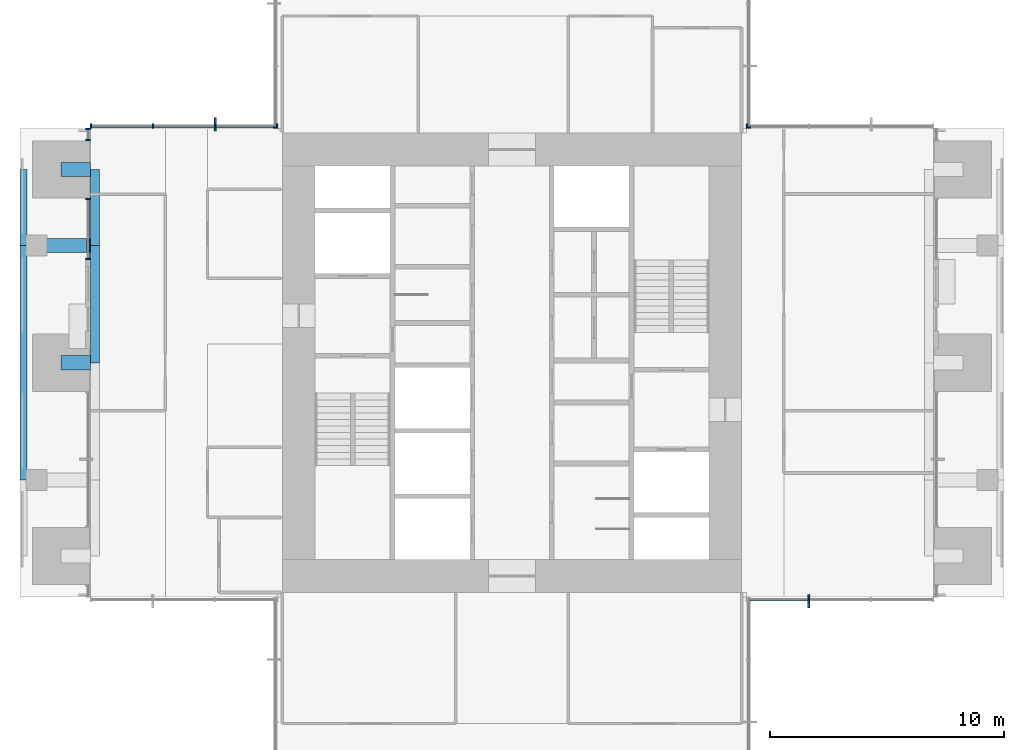
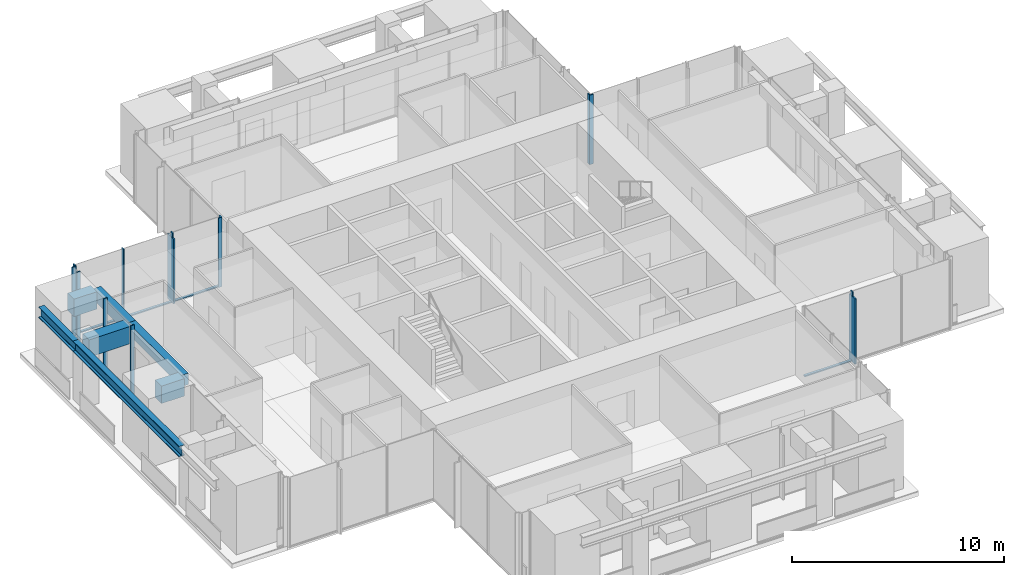
# One storey, part 3 of 17: 19 members, 7 beams, 7 elements without a shape of their own.
"""IFC4 building model written with IfcOpenShell, lengths in metres."""

from ifc_helpers import new_model, si_unit, direction, frame, origin, origin_2d, place, context, subcontext, project, spatial, rectangle, i_section, extrude, material, material_profile, profile_set, type_object, element, aggregate, save


model = new_model("IFC4")

# Units and contexts
model_context = context("Model", 3, precision=1e-05, world=origin(), true_north=direction((0.0, 1.0)))
body_context = subcontext(model_context, "Body", "Model", "MODEL_VIEW")
ifc_project = project(units=[si_unit("LENGTHUNIT", "METRE"), si_unit("AREAUNIT", "SQUARE_METRE"), si_unit("VOLUMEUNIT", "CUBIC_METRE"), si_unit("PLANEANGLEUNIT", "RADIAN"), si_unit("MASSUNIT", "GRAM", prefix="KILO")], contexts=[model_context])

# Site, building, storey
site_placement = place(None, origin())
site = spatial("IfcSite", under=ifc_project, at=site_placement, CompositionType="ELEMENT")
building_placement = place(site_placement, origin())
building = spatial("IfcBuilding", under=site, at=building_placement, Name="Svetlomir Tower", CompositionType="ELEMENT")
storey_placement = place(building_placement, frame((0.0, 0.0, 214.5)))
storey = spatial("IfcBuildingStorey", under=building, at=storey_placement, Name="L51", CompositionType="ELEMENT", Elevation=214.5)

# Curtain wall, member
ifc_material_1 = material(Name="Bronze anodised aluminium curtain wall", Category="aluminium")
curtain_wall_type = type_object("IfcCurtainWallType", Name="CURTAIN WALL CW1 TOWER OFFICE", PredefinedType="NOTDEFINED", material=ifc_material_1)
curtain_wall_1_placement = place(storey_placement, origin())
curtain_wall_1 = element("IfcCurtainWall", 1, at=curtain_wall_1_placement, inside=storey, type_object=curtain_wall_type, Name="Curtain wall CW1 L51", PredefinedType="NOTDEFINED")
ifc_material_2 = material(Name="Bronze anodised aluminium", Category="aluminium")
ifc_material_profile_1 = material_profile(ifc_material_2, rectangle(XDim=0.080078125, YDim=0.550048828125, at=origin_2d()), Name="FIN 80x550")
ifc_profile_set_1 = profile_set([ifc_material_profile_1], Name="Bronze anodised aluminium 6063-T6")
member_type_1 = type_object("IfcMemberType", Name="BRONZE FIN 80x550", PredefinedType="USERDEFINED", material=ifc_profile_set_1)
member_1_placement = place(storey_placement, frame((33.666748046875, 10.824951171875, 0.0), z_axis=(0.0, 0.0, 1.0), x_axis=(1.0, 0.0, 0.0)))
member_1 = element("IfcMember", 2, at=member_1_placement, type_object=member_type_1, Name="Bronze fin L51", ObjectType="FIN", PredefinedType="USERDEFINED", context=body_context, shape_type="SweptSolid", body=[
    extrude(rectangle(XDim=0.080078125, YDim=0.550048828125, at=origin_2d()), origin(), (0.0, 0.0, 1.0), 3.75),
])

curtain_wall_2_placement = place(storey_placement, origin())
curtain_wall_2 = element("IfcCurtainWall", 3, at=curtain_wall_2_placement, inside=storey, type_object=curtain_wall_type, Name="Curtain wall CW1 L51", PredefinedType="NOTDEFINED")
member_2_placement = place(storey_placement, frame((8.333251953125, 31.175048828125, 0.0), z_axis=(0.0, 0.0, 1.0), x_axis=(1.0, 0.0, 0.0)))
member_2 = element("IfcMember", 4, at=member_2_placement, type_object=member_type_1, Name="Bronze fin L51", ObjectType="FIN", PredefinedType="USERDEFINED", context=body_context, shape_type="SweptSolid", body=[
    extrude(rectangle(XDim=0.080078125, YDim=0.550048828125, at=origin_2d()), origin(), (0.0, 0.0, 1.0), 3.75),
])

# Member
ifc_material_3 = material(Name="Bronze anodised aluminium", Category="aluminium")
ifc_material_profile_2 = material_profile(ifc_material_3, rectangle(XDim=0.06494140625, YDim=0.199951171875, at=origin_2d()), Name="AL 65x200")
ifc_profile_set_2 = profile_set([ifc_material_profile_2], Name="Bronze anodised aluminium 6063-T6")
member_type_2 = type_object("IfcMemberType", Name="CW1 MULLION 65x200", PredefinedType="MULLION", material=ifc_profile_set_2)
member_3_placement = place(storey_placement, frame((33.666748046875, 10.89990234375, 0.0), z_axis=(0.0, 0.0, 1.0), x_axis=(1.0, 0.0, 0.0)))
member_3 = element("IfcMember", 5, at=member_3_placement, type_object=member_type_2, Name="CW1 mullion 2", PredefinedType="MULLION", context=body_context, shape_type="SweptSolid", body=[
    extrude(rectangle(XDim=0.06494140625, YDim=0.199951171875, at=origin_2d()), origin(), (0.0, 0.0, 1.0), 4.0),
])

# Curtain wall, member
curtain_wall_3_placement = place(storey_placement, origin())
curtain_wall_3 = element("IfcCurtainWall", 6, at=curtain_wall_3_placement, inside=storey, type_object=curtain_wall_type, Name="Curtain wall CW1 L51", PredefinedType="NOTDEFINED")
member_4_placement = place(storey_placement, frame((31.032470703125, 31.10009765625, 0.0), z_axis=(0.0, 0.0, 1.0), x_axis=(-1.0, 0.0, 0.0)))
member_4 = element("IfcMember", 7, at=member_4_placement, type_object=member_type_2, Name="CW1 mullion 4", PredefinedType="MULLION", context=body_context, shape_type="SweptSolid", body=[
    extrude(rectangle(XDim=0.06494140625, YDim=0.199951171875, at=origin_2d()), origin(), (0.0, 0.0, 1.0), 4.0),
])
aggregate(curtain_wall_3, [member_4])

curtain_wall_4_placement = place(storey_placement, origin())
curtain_wall_4 = element("IfcCurtainWall", 8, at=curtain_wall_4_placement, inside=storey, type_object=curtain_wall_type, Name="Curtain wall CW1 L51", PredefinedType="NOTDEFINED")
member_5_placement = place(storey_placement, frame((31.10009765625, 31.032470703125, 0.0), z_axis=(0.0, 0.0, 1.0), x_axis=(0.0, 1.0, 0.0)))
member_5 = element("IfcMember", 9, at=member_5_placement, type_object=member_type_2, Name="CW1 mullion 1", PredefinedType="MULLION", context=body_context, shape_type="SweptSolid", body=[
    extrude(rectangle(XDim=0.06494140625, YDim=0.199951171875, at=origin_2d()), origin(), (0.0, 0.0, 1.0), 4.0),
])
aggregate(curtain_wall_4, [member_5])

curtain_wall_5_placement = place(storey_placement, origin())
curtain_wall_5 = element("IfcCurtainWall", 10, at=curtain_wall_5_placement, inside=storey, type_object=curtain_wall_type, Name="Curtain wall CW1 L51", PredefinedType="NOTDEFINED")
member_6_placement = place(storey_placement, frame((10.89990234375, 31.032470703125, 0.0), z_axis=(0.0, 0.0, 1.0), x_axis=(0.0, -1.0, 0.0)))
member_6 = element("IfcMember", 11, at=member_6_placement, type_object=member_type_2, Name="CW1 mullion 4", PredefinedType="MULLION", context=body_context, shape_type="SweptSolid", body=[
    extrude(rectangle(XDim=0.06494140625, YDim=0.199951171875, at=origin_2d()), origin(), (0.0, 0.0, 1.0), 4.0),
])
aggregate(curtain_wall_5, [member_6])

# Member
member_7_placement = place(storey_placement, frame((10.967529296875, 31.10009765625, 0.0), z_axis=(0.0, 0.0, 1.0), x_axis=(-1.0, 0.0, 0.0)))
member_7 = element("IfcMember", 12, at=member_7_placement, type_object=member_type_2, Name="CW1 mullion 1", PredefinedType="MULLION", context=body_context, shape_type="SweptSolid", body=[
    extrude(rectangle(XDim=0.06494140625, YDim=0.199951171875, at=origin_2d()), origin(), (0.0, 0.0, 1.0), 4.0),
])

member_8_placement = place(storey_placement, frame((8.333251953125, 31.10009765625, 0.0), z_axis=(0.0, 0.0, 1.0), x_axis=(-1.0, 0.0, 0.0)))
member_8 = element("IfcMember", 13, at=member_8_placement, type_object=member_type_2, Name="CW1 mullion 2", PredefinedType="MULLION", context=body_context, shape_type="SweptSolid", body=[
    extrude(rectangle(XDim=0.06494140625, YDim=0.199951171875, at=origin_2d()), origin(), (0.0, 0.0, 1.0), 4.0),
])

member_9_placement = place(storey_placement, frame((5.666748046875, 31.10009765625, 0.0), z_axis=(0.0, 0.0, 1.0), x_axis=(-1.0, 0.0, 0.0)))
member_9 = element("IfcMember", 14, at=member_9_placement, type_object=member_type_2, Name="CW1 mullion 3", PredefinedType="MULLION", context=body_context, shape_type="SweptSolid", body=[
    extrude(rectangle(XDim=0.06494140625, YDim=0.199951171875, at=origin_2d()), origin(), (0.0, 0.0, 1.0), 4.0),
])

member_10_placement = place(storey_placement, frame((3.032470703125, 31.10009765625, 0.0), z_axis=(0.0, 0.0, 1.0), x_axis=(-1.0, 0.0, 0.0)))
member_10 = element("IfcMember", 15, at=member_10_placement, type_object=member_type_2, Name="CW1 mullion 4", PredefinedType="MULLION", context=body_context, shape_type="SweptSolid", body=[
    extrude(rectangle(XDim=0.06494140625, YDim=0.199951171875, at=origin_2d()), origin(), (0.0, 0.0, 1.0), 4.0),
])

# Curtain wall, members
curtain_wall_6_placement = place(storey_placement, origin())
curtain_wall_6 = element("IfcCurtainWall", 16, at=curtain_wall_6_placement, inside=storey, type_object=curtain_wall_type, Name="Curtain wall CW1 L51", PredefinedType="NOTDEFINED")
member_11_placement = place(storey_placement, frame((2.89990234375, 30.967529296875, 0.0), z_axis=(0.0, 0.0, 1.0), x_axis=(0.0, -1.0, 0.0)))
member_11 = element("IfcMember", 17, at=member_11_placement, type_object=member_type_2, Name="CW1 mullion 1", PredefinedType="MULLION", context=body_context, shape_type="SweptSolid", body=[
    extrude(rectangle(XDim=0.06494140625, YDim=0.199951171875, at=origin_2d()), origin(), (0.0, 0.0, 1.0), 4.0),
])
member_12_placement = place(storey_placement, frame((2.89990234375, 30.507568359375, 0.0), z_axis=(0.0, 0.0, 1.0), x_axis=(0.0, -1.0, 0.0)))
member_12 = element("IfcMember", 18, at=member_12_placement, type_object=member_type_2, Name="CW1 mullion 2", PredefinedType="MULLION", context=body_context, shape_type="SweptSolid", body=[
    extrude(rectangle(XDim=0.06494140625, YDim=0.199951171875, at=origin_2d()), origin(), (0.0, 0.0, 1.0), 4.0),
])
aggregate(curtain_wall_6, [member_11, member_12])

curtain_wall_7_placement = place(storey_placement, origin())
curtain_wall_7 = element("IfcCurtainWall", 19, at=curtain_wall_7_placement, inside=storey, type_object=curtain_wall_type, Name="Curtain wall CW1 L51", PredefinedType="NOTDEFINED")
member_13_placement = place(storey_placement, frame((2.89990234375, 27.992431640625, 0.0), z_axis=(0.0, 0.0, 1.0), x_axis=(0.0, -1.0, 0.0)))
member_13 = element("IfcMember", 20, at=member_13_placement, type_object=member_type_2, Name="CW1 mullion 1", PredefinedType="MULLION", context=body_context, shape_type="SweptSolid", body=[
    extrude(rectangle(XDim=0.06494140625, YDim=0.199951171875, at=origin_2d()), origin(), (0.0, 0.0, 1.0), 4.0),
])
member_14_placement = place(storey_placement, frame((2.89990234375, 25.4326171875, 0.0), z_axis=(0.0, 0.0, 1.0), x_axis=(0.0, -1.0, 0.0)))
member_14 = element("IfcMember", 21, at=member_14_placement, type_object=member_type_2, Name="CW1 mullion 2", PredefinedType="MULLION", context=body_context, shape_type="SweptSolid", body=[
    extrude(rectangle(XDim=0.06494140625, YDim=0.199951171875, at=origin_2d()), origin(), (0.0, 0.0, 1.0), 4.0),
])

# Member
ifc_material_4 = material(Name="Bronze anodised aluminium", Category="aluminium")
ifc_material_profile_3 = material_profile(ifc_material_4, rectangle(XDim=0.139892578125, YDim=0.06494140625, at=origin_2d()), Name="AL 140x65")
ifc_profile_set_3 = profile_set([ifc_material_profile_3], Name="Bronze anodised aluminium 6063-T6")
member_type_3 = type_object("IfcMemberType", Name="CW1 TRANSOM 65x140", PredefinedType="USERDEFINED", material=ifc_profile_set_3)
member_15_placement = place(storey_placement, frame((31.06494140625, 10.89990234375, 0.032470703125), z_axis=(1.0, 0.0, 0.0), x_axis=(0.0, 1.0, 0.0)))
member_15 = element("IfcMember", 22, at=member_15_placement, type_object=member_type_3, Name="CW1 transom 1.1", ObjectType="TRANSOM", PredefinedType="USERDEFINED", context=body_context, shape_type="SweptSolid", body=[
    extrude(rectangle(XDim=0.139892578125, YDim=0.06494140625, at=origin_2d()), origin(), (0.0, 0.0, 1.0), 2.5693359375),
])

aggregate(curtain_wall_1, [member_3, member_15, member_1])

member_16_placement = place(storey_placement, frame((10.93505859375, 31.10009765625, 0.032470703125), z_axis=(-1.0, 0.0, 0.0), x_axis=(0.0, -1.0, 0.0)))
member_16 = element("IfcMember", 23, at=member_16_placement, type_object=member_type_3, Name="CW1 transom 1.1", ObjectType="TRANSOM", PredefinedType="USERDEFINED", context=body_context, shape_type="SweptSolid", body=[
    extrude(rectangle(XDim=0.139892578125, YDim=0.06494140625, at=origin_2d()), origin(), (0.0, 0.0, 1.0), 2.5693359375),
])

member_17_placement = place(storey_placement, frame((8.30078125, 31.10009765625, 0.032470703125), z_axis=(-1.0, 0.0, 0.0), x_axis=(0.0, -1.0, 0.0)))
member_17 = element("IfcMember", 24, at=member_17_placement, type_object=member_type_3, Name="CW1 transom 2.1", ObjectType="TRANSOM", PredefinedType="USERDEFINED", context=body_context, shape_type="SweptSolid", body=[
    extrude(rectangle(XDim=0.139892578125, YDim=0.06494140625, at=origin_2d()), origin(), (0.0, 0.0, 1.0), 2.6015625),
])

member_18_placement = place(storey_placement, frame((5.63427734375, 31.10009765625, 0.032470703125), z_axis=(-1.0, 0.0, 0.0), x_axis=(0.0, -1.0, 0.0)))
member_18 = element("IfcMember", 25, at=member_18_placement, type_object=member_type_3, Name="CW1 transom 3.1", ObjectType="TRANSOM", PredefinedType="USERDEFINED", context=body_context, shape_type="SweptSolid", body=[
    extrude(rectangle(XDim=0.139892578125, YDim=0.06494140625, at=origin_2d()), origin(), (0.0, 0.0, 1.0), 2.5693359375),
])

aggregate(curtain_wall_2, [member_7, member_8, member_9, member_10, member_16, member_17, member_18, member_2])

member_19_placement = place(storey_placement, frame((2.89990234375, 27.9599609375, 0.032470703125), z_axis=(0.0, -1.0, 0.0), x_axis=(1.0, 0.0, 0.0)))
member_19 = element("IfcMember", 26, at=member_19_placement, type_object=member_type_3, Name="CW1 transom 1.1", ObjectType="TRANSOM", PredefinedType="USERDEFINED", context=body_context, shape_type="SweptSolid", body=[
    extrude(rectangle(XDim=0.139892578125, YDim=0.06494140625, at=origin_2d()), origin(), (0.0, 0.0, 1.0), 2.494873046875),
])

aggregate(curtain_wall_7, [member_13, member_14, member_19])

# Beams
ifc_material_5 = material(Name="Steel S355", Category="steel")
ifc_material_profile_4 = material_profile(ifc_material_5, i_section(OverallWidth=0.304931640625, OverallDepth=0.6201171875, WebThickness=0.02099609375, FlangeThickness=0.0400390625, FilletRadius=0.027099609375, at=origin_2d()), Name="HEM 600")
ifc_profile_set_4 = profile_set([ifc_material_profile_4], Name="Steel S355")
beam_type_1 = type_object("IfcBeamType", Name="EDGE BEAM HEM 600", PredefinedType="SPANDREL", material=ifc_profile_set_4)
beam_1_placement = place(storey_placement, frame((0.152587890625, 16.0, 3.43994140625), z_axis=(0.0, 1.0, 0.0), x_axis=(-1.0, 0.0, 0.0)))
element("IfcBeam", 27, at=beam_1_placement, inside=storey, type_object=beam_type_1, Name="Edge beam 0/16 to 0/26 under L52", PredefinedType="SPANDREL", context=body_context, shape_type="SweptSolid", body=[
    extrude(i_section(OverallWidth=0.304931640625, OverallDepth=0.6201171875, WebThickness=0.02099609375, FlangeThickness=0.0400390625, FilletRadius=0.027099609375, at=origin_2d()), origin(), (0.0, 0.0, 1.0), 10.0),
])
beam_2_placement = place(storey_placement, frame((0.152587890625, 26.0, 3.43994140625), z_axis=(0.0, 1.0, 0.0), x_axis=(-1.0, 0.0, 0.0)))
element("IfcBeam", 28, at=beam_2_placement, inside=storey, type_object=beam_type_1, Name="Edge beam 0/26 to 0/31 under L52", PredefinedType="SPANDREL", context=body_context, shape_type="SweptSolid", body=[
    extrude(i_section(OverallWidth=0.304931640625, OverallDepth=0.6201171875, WebThickness=0.02099609375, FlangeThickness=0.0400390625, FilletRadius=0.027099609375, at=origin_2d()), origin(), (0.0, 0.0, 1.0), 3.25),
])
ifc_material_6 = material(Name="Concrete C60/75", Category="concrete")
ifc_material_profile_5 = material_profile(ifc_material_6, rectangle(XDim=0.39990234375, YDim=0.64990234375, at=origin_2d()), Name="RC 400x650")
ifc_profile_set_5 = profile_set([ifc_material_profile_5], Name="Concrete C60/75")
beam_type_2 = type_object("IfcBeamType", Name="FACADE EDGE BEAM RC 400x650", PredefinedType="BEAM", material=ifc_profile_set_5)
beam_3_placement = place(storey_placement, frame((3.199951171875, 21.0, 3.425048828125), z_axis=(0.0, 1.0, 0.0), x_axis=(-1.0, 0.0, 0.0)))
element("IfcBeam", 29, at=beam_3_placement, inside=storey, type_object=beam_type_2, Name="Facade edge beam W 21 to 26 under L52", PredefinedType="BEAM", context=body_context, shape_type="SweptSolid", body=[
    extrude(rectangle(XDim=0.39990234375, YDim=0.64990234375, at=origin_2d()), origin(), (0.0, 0.0, 1.0), 5.0),
])
beam_4_placement = place(storey_placement, frame((3.199951171875, 26.0, 3.425048828125), z_axis=(0.0, 1.0, 0.0), x_axis=(-1.0, 0.0, 0.0)))
element("IfcBeam", 30, at=beam_4_placement, inside=storey, type_object=beam_type_2, Name="Facade edge beam W 26 to 31 under L52", PredefinedType="BEAM", context=body_context, shape_type="SweptSolid", body=[
    extrude(rectangle(XDim=0.39990234375, YDim=0.64990234375, at=origin_2d()), origin(), (0.0, 0.0, 1.0), 3.25),
])
ifc_material_7 = material(Name="Concrete C60/75", Category="concrete")
ifc_material_profile_6 = material_profile(ifc_material_7, rectangle(XDim=0.60009765625, YDim=1.0, at=origin_2d()), Name="RC 600x1000")
ifc_profile_set_6 = profile_set([ifc_material_profile_6], Name="Concrete C60/75")
beam_type_3 = type_object("IfcBeamType", Name="LOGGIA LINK BEAM RC 600x1000", PredefinedType="BEAM", material=ifc_profile_set_6)
beam_5_placement = place(storey_placement, frame((1.75, 21.0, 3.25), z_axis=(1.0, 0.0, 0.0), x_axis=(0.0, 1.0, 0.0)))
element("IfcBeam", 31, at=beam_5_placement, inside=storey, type_object=beam_type_3, Name="Loggia link beam W 21 under L52", PredefinedType="BEAM", context=body_context, shape_type="SweptSolid", body=[
    extrude(rectangle(XDim=0.60009765625, YDim=1.0, at=origin_2d()), origin(), (0.0, 0.0, 1.0), 1.25),
])
beam_6_placement = place(storey_placement, frame((0.699951171875, 26.0, 3.25), z_axis=(1.0, 0.0, 0.0), x_axis=(0.0, 1.0, 0.0)))
element("IfcBeam", 32, at=beam_6_placement, inside=storey, type_object=beam_type_3, Name="Loggia link beam W 26 under L52", PredefinedType="BEAM", context=body_context, shape_type="SweptSolid", body=[
    extrude(rectangle(XDim=0.60009765625, YDim=1.0, at=origin_2d()), origin(), (0.0, 0.0, 1.0), 2.300048828125),
])
beam_7_placement = place(storey_placement, frame((1.75, 29.25, 3.25), z_axis=(1.0, 0.0, 0.0), x_axis=(0.0, 1.0, 0.0)))
element("IfcBeam", 33, at=beam_7_placement, inside=storey, type_object=beam_type_3, Name="Loggia link beam W 31 under L52", PredefinedType="BEAM", context=body_context, shape_type="SweptSolid", body=[
    extrude(rectangle(XDim=0.60009765625, YDim=1.0, at=origin_2d()), origin(), (0.0, 0.0, 1.0), 1.25),
])

save(model, "model.ifc")
